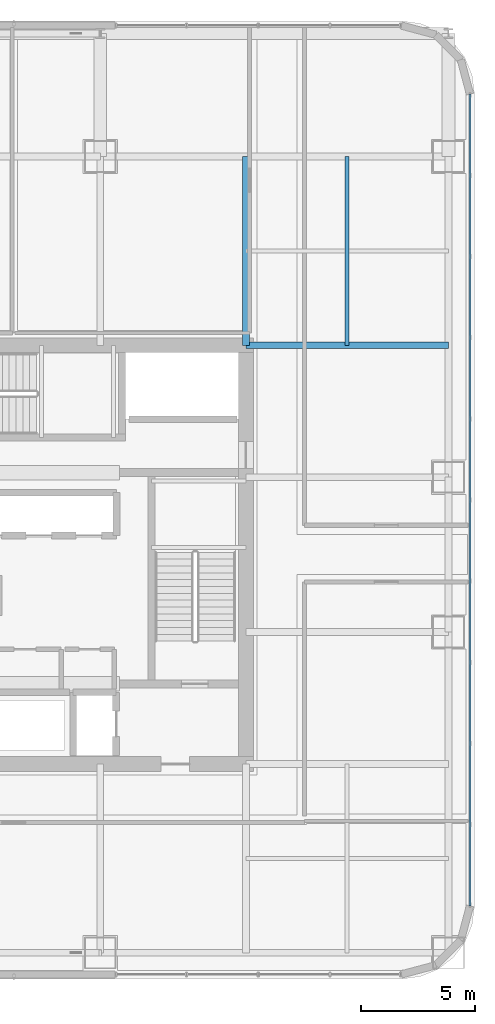
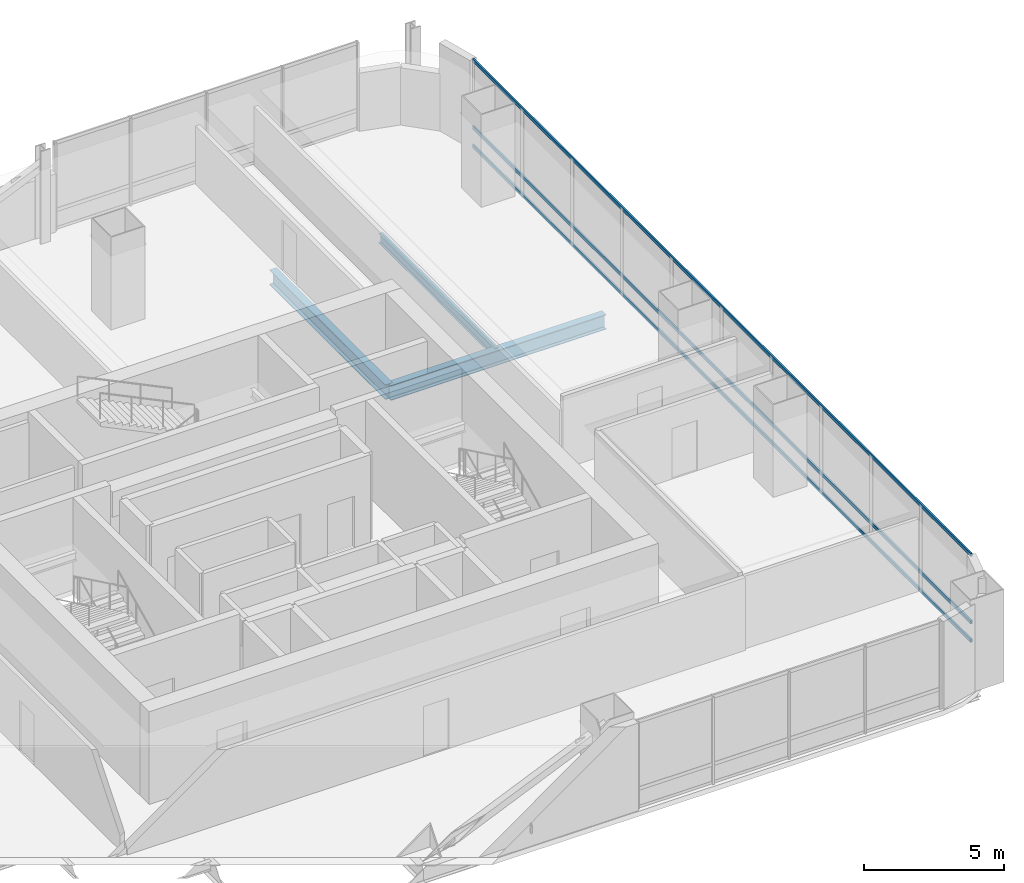
# One storey, part 17 of 38: 3 beams, 3 members, 1 element without a shape of its own.
"""IFC4 building model written with IfcOpenShell, lengths in metres."""

from ifc_helpers import new_model, si_unit, direction, frame, origin, origin_2d, place, context, subcontext, project, spatial, hollow_rectangle, i_section, extrude, material, material_profile, profile_set, type_object, element, aggregate, save


model = new_model("IFC4")

# Units and contexts
model_context = context("Model", 3, precision=1e-05, world=origin(), true_north=direction((0.0, 1.0)))
body_context = subcontext(model_context, "Body", "Model", "MODEL_VIEW")
ifc_project = project(units=[si_unit("LENGTHUNIT", "METRE"), si_unit("AREAUNIT", "SQUARE_METRE"), si_unit("VOLUMEUNIT", "CUBIC_METRE"), si_unit("PLANEANGLEUNIT", "RADIAN"), si_unit("MASSUNIT", "GRAM", prefix="KILO")], contexts=[model_context])

# Site, building, storey
site_placement = place(None, origin())
site = spatial("IfcSite", under=ifc_project, at=site_placement, CompositionType="ELEMENT")
building_placement = place(site_placement, origin())
building = spatial("IfcBuilding", under=site, at=building_placement, Name="Punatoya Terracotta Tower", CompositionType="ELEMENT")
storey_placement = place(building_placement, frame((0.0, 0.0, 156.0)))
storey = spatial("IfcBuildingStorey", under=building, at=storey_placement, Name="L36", CompositionType="ELEMENT", Elevation=156.0)

# Beams
ifc_material_1 = material(Name="Steel S355", Category="steel")
ifc_material_profile_1 = material_profile(ifc_material_1, i_section(OverallWidth=0.300048828125, OverallDepth=0.64990234375, WebThickness=0.01611328125, FlangeThickness=0.031005859375, FilletRadius=0.01806640625, at=origin_2d()))
ifc_profile_set_1 = profile_set([ifc_material_profile_1], Name="Steel S355")
beam_type_1 = type_object("IfcBeamType", Name="BM-PRI-650", PredefinedType="BEAM", material=ifc_profile_set_1)
beam_1_placement = place(storey_placement, frame((10.199951171875, 9.199951171875, -0.544921875), z_axis=(1.0, 0.0, 0.0), x_axis=(0.0, 1.0, 0.0)))
element("IfcBeam", 1, at=beam_1_placement, inside=storey, type_object=beam_type_1, Name="BM-L36-PR-EN", PredefinedType="BEAM", context=body_context, shape_type="SweptSolid", body=[
    extrude(i_section(OverallWidth=0.300048828125, OverallDepth=0.64990234375, WebThickness=0.01611328125, FlangeThickness=0.031005859375, FilletRadius=0.01806640625, at=origin_2d()), origin(), (0.0, 0.0, 1.0), 8.900146484375),
])
beam_2_placement = place(storey_placement, frame((10.199951171875, 9.199951171875, -0.544921875), z_axis=(0.0, 1.0, 0.0), x_axis=(-1.0, 0.0, 0.0)))
element("IfcBeam", 2, at=beam_2_placement, inside=storey, type_object=beam_type_1, Name="BM-L36-PR-N4", PredefinedType="BEAM", context=body_context, shape_type="SweptSolid", body=[
    extrude(i_section(OverallWidth=0.300048828125, OverallDepth=0.64990234375, WebThickness=0.01611328125, FlangeThickness=0.031005859375, FilletRadius=0.01806640625, at=origin_2d()), origin(), (0.0, 0.0, 1.0), 8.300048828125),
])
ifc_material_profile_2 = material_profile(ifc_material_1, i_section(OverallWidth=0.179931640625, OverallDepth=0.39990234375, WebThickness=0.008544921875, FlangeThickness=0.013427734375, FilletRadius=0.01806640625, at=origin_2d()))
ifc_profile_set_2 = profile_set([ifc_material_profile_2], Name="Steel S355")
beam_type_2 = type_object("IfcBeamType", Name="BM-SEC-400", PredefinedType="JOIST", material=ifc_profile_set_2)
beam_3_placement = place(storey_placement, frame((14.64990234375, 9.199951171875, -0.419921875), z_axis=(0.0, 1.0, 0.0), x_axis=(-1.0, 0.0, 0.0)))
element("IfcBeam", 3, at=beam_3_placement, inside=storey, type_object=beam_type_2, Name="BM-L36-SJE-2", PredefinedType="JOIST", context=body_context, shape_type="SweptSolid", body=[
    extrude(i_section(OverallWidth=0.179931640625, OverallDepth=0.39990234375, WebThickness=0.008544921875, FlangeThickness=0.013427734375, FilletRadius=0.01806640625, at=origin_2d()), origin(), (0.0, 0.0, 1.0), 8.300048828125),
])

# Curtain wall, members
ifc_material_2 = material(Name="Aluminium 6063-T6 + Double Low-E Glass", Category="aluminium")
curtain_wall_type = type_object("IfcCurtainWallType", Name="CW-M2", PredefinedType="NOTDEFINED", material=ifc_material_2)
curtain_wall_placement = place(storey_placement, origin())
curtain_wall = element("IfcCurtainWall", 4, at=curtain_wall_placement, inside=storey, type_object=curtain_wall_type, Name="L36 Curtain Wall CW-L36-E05-1", PredefinedType="NOTDEFINED")
ifc_material_3 = material(Name="Aluminium 6063-T6", Category="aluminium")
ifc_material_profile_3 = material_profile(ifc_material_3, hollow_rectangle(XDim=0.068115234375, YDim=0.14990234375, WallThickness=0.00390625, at=origin_2d()))
ifc_profile_set_3 = profile_set([ifc_material_profile_3], Name="Aluminium 6063-T6")
member_type = type_object("IfcMemberType", Name="CW-TRN-TYP", PredefinedType="USERDEFINED", material=ifc_profile_set_3)
member_1_placement = place(storey_placement, frame((20.050048828125, -15.43701171875, 0.0400390625), z_axis=(0.0, 1.0, 0.0), x_axis=(-1.0, 0.0, 0.0)))
member_1 = element("IfcMember", 5, at=member_1_placement, type_object=member_type, Name="CW-L36-E05-1 Transom 1", ObjectType="TRANSOM", PredefinedType="USERDEFINED", context=body_context, shape_type="SweptSolid", body=[
    extrude(hollow_rectangle(XDim=0.068115234375, YDim=0.14990234375, WallThickness=0.00390625, at=origin_2d()), origin(), (0.0, 0.0, 1.0), 35.673828125),
])
member_2_placement = place(storey_placement, frame((20.050048828125, -15.43701171875, 0.85009765625), z_axis=(0.0, 1.0, 0.0), x_axis=(-1.0, 0.0, 0.0)))
member_2 = element("IfcMember", 6, at=member_2_placement, type_object=member_type, Name="CW-L36-E05-1 Transom 2", ObjectType="TRANSOM", PredefinedType="USERDEFINED", context=body_context, shape_type="SweptSolid", body=[
    extrude(hollow_rectangle(XDim=0.068115234375, YDim=0.14990234375, WallThickness=0.00390625, at=origin_2d()), origin(), (0.0, 0.0, 1.0), 35.673828125),
])
member_3_placement = place(storey_placement, frame((20.050048828125, -15.43701171875, 3.7900390625), z_axis=(0.0, 1.0, 0.0), x_axis=(-1.0, 0.0, 0.0)))
member_3 = element("IfcMember", 7, at=member_3_placement, type_object=member_type, Name="CW-L36-E05-1 Transom 3", ObjectType="TRANSOM", PredefinedType="USERDEFINED", context=body_context, shape_type="SweptSolid", body=[
    extrude(hollow_rectangle(XDim=0.068115234375, YDim=0.14990234375, WallThickness=0.00390625, at=origin_2d()), origin(), (0.0, 0.0, 1.0), 35.673828125),
])
aggregate(curtain_wall, [member_1, member_2, member_3])

save(model, "model.ifc")
